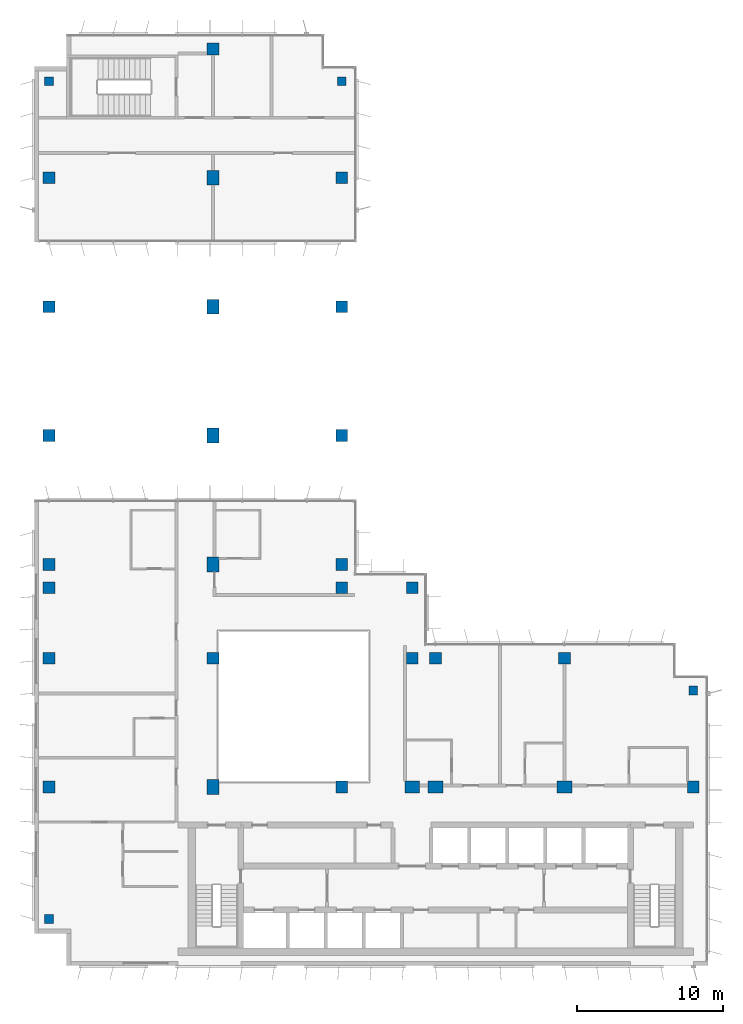
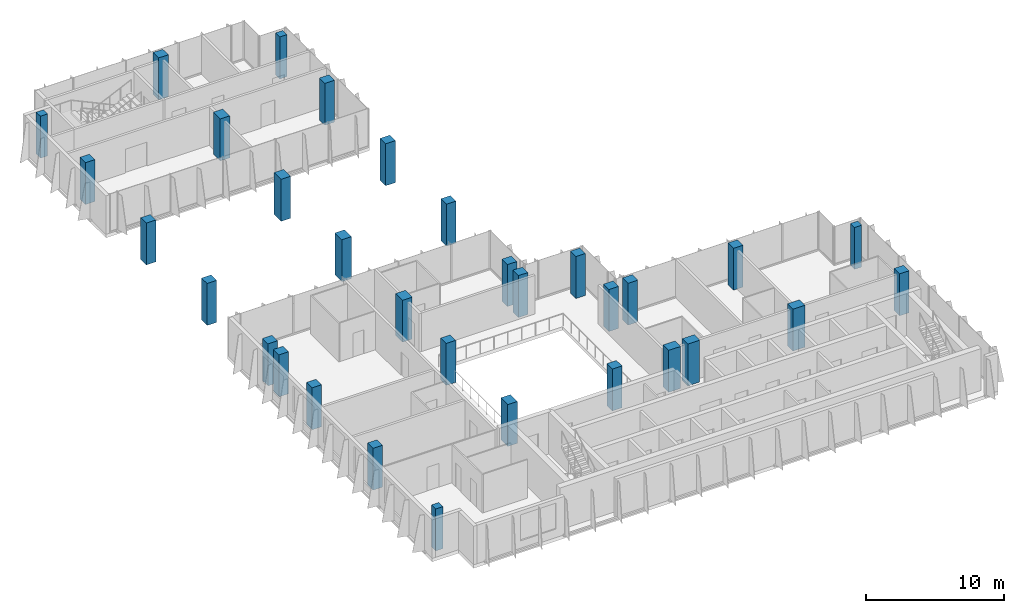
# One storey, part 1 of 14: 32 columns.
"""IFC4 building model written with IfcOpenShell, lengths in metres."""

from ifc_helpers import new_model, si_unit, direction, frame, origin, origin_2d, place, context, subcontext, project, spatial, rectangle, extrude, material, material_profile, profile_set, type_object, element, save


model = new_model("IFC4")

# Units and contexts
model_context = context("Model", 3, precision=1e-05, world=origin(), true_north=direction((0.0, 1.0)))
body_context = subcontext(model_context, "Body", "Model", "MODEL_VIEW")
ifc_project = project(units=[si_unit("LENGTHUNIT", "METRE"), si_unit("AREAUNIT", "SQUARE_METRE"), si_unit("VOLUMEUNIT", "CUBIC_METRE"), si_unit("PLANEANGLEUNIT", "RADIAN"), si_unit("MASSUNIT", "GRAM", prefix="KILO")], contexts=[model_context])

# Site, building, storey
site_placement = place(None, origin())
site = spatial("IfcSite", under=ifc_project, at=site_placement, CompositionType="ELEMENT")
building_placement = place(site_placement, origin())
building = spatial("IfcBuilding", under=site, at=building_placement, Name="Kemantara Hotel Tower", CompositionType="ELEMENT")
storey_placement = place(building_placement, frame((0.0, 0.0, 245.0)))
storey = spatial("IfcBuildingStorey", under=building, at=storey_placement, Name="L61", CompositionType="ELEMENT", Elevation=245.0)

# Columns
ifc_material = material(Name="Concrete fc 60 MPa", Category="concrete")
ifc_material_profile_1 = material_profile(ifc_material, rectangle(XDim=1.0, YDim=0.800048828125, at=origin_2d()), Name="RC 1000X800")
ifc_profile_set_1 = profile_set([ifc_material_profile_1], Name="Concrete fc 60 MPa")
column_type_1 = type_object("IfcColumnType", Name="RC COLUMN 1000X800 FC60", PredefinedType="COLUMN", material=ifc_profile_set_1)
for number, where, z_axis, x_axis, name in (
    (1, (12.199951171875, 12.199951171875, 0.0), (0.0, 0.0, 1.0), (0.0, 1.0, 0.0), "COLUMN 2A/BA L61"),
    (2, (12.199951171875, 27.39990234375, 0.0), (0.0, 0.0, 1.0), (0.0, 1.0, 0.0), "COLUMN 2A/D L61"),
    (3, (12.199951171875, 36.199951171875, 0.0), (0.0, 0.0, 1.0), (0.0, 1.0, 0.0), "COLUMN 2A/E L61"),
    (4, (12.199951171875, 45.0, 0.0), (0.0, 0.0, 1.0), (0.0, 1.0, 0.0), "COLUMN 2A/F L61"),
    (5, (12.199951171875, 53.800048828125, 0.0), (0.0, 0.0, 1.0), (0.0, 1.0, 0.0), "COLUMN 2A/G L61"),
    (6, (25.800048828125, 12.199951171875, 0.0), (0.0, 0.0, 1.0), (1.0, 0.0, 0.0), "COLUMN 3A/BA L61"),
    (7, (27.39990234375, 12.199951171875, 0.0), (0.0, 0.0, 1.0), (1.0, 0.0, 0.0), "COLUMN 4/BA L61"),
    (8, (36.199951171875, 12.199951171875, 0.0), (0.0, 0.0, 1.0), (1.0, 0.0, 0.0), "COLUMN 5/BA L61"),
):
    element("IfcColumn", number, at=place(storey_placement, frame(where, z_axis=z_axis, x_axis=x_axis)), inside=storey, type_object=column_type_1, Name=name, PredefinedType="COLUMN", context=body_context, shape_type="SweptSolid", body=[
        extrude(rectangle(XDim=1.0, YDim=0.800048828125, at=origin_2d()), origin(), (0.0, 0.0, 1.0), 3.699951171875),
    ])
ifc_material_profile_2 = material_profile(ifc_material, rectangle(XDim=0.60009765625, YDim=0.60009765625, at=origin_2d()), Name="RC 600X600")
ifc_profile_set_2 = profile_set([ifc_material_profile_2], Name="Concrete fc 60 MPa")
column_type_2 = type_object("IfcColumnType", Name="RC COLUMN 600X600 FC60", PredefinedType="COLUMN", material=ifc_profile_set_2)
for number, where, z_axis, x_axis, name in (
    (9, (1.0, 3.199951171875, 0.0), (0.0, 0.0, 1.0), (1.0, 0.0, 0.0), "COLUMN notch corner L61"),
    (10, (1.0, 60.39990234375, 0.0), (0.0, 0.0, 1.0), (1.0, 0.0, 0.0), "COLUMN notch corner L61"),
    (11, (21.0, 60.39990234375, 0.0), (0.0, 0.0, 1.0), (1.0, 0.0, 0.0), "COLUMN notch corner L61"),
    (12, (45.0, 18.800048828125, 0.0), (0.0, 0.0, 1.0), (1.0, 0.0, 0.0), "COLUMN notch corner L61"),
):
    element("IfcColumn", number, at=place(storey_placement, frame(where, z_axis=z_axis, x_axis=x_axis)), inside=storey, type_object=column_type_2, Name=name, PredefinedType="COLUMN", context=body_context, shape_type="SweptSolid", body=[
        extrude(rectangle(XDim=0.60009765625, YDim=0.60009765625, at=origin_2d()), origin(), (0.0, 0.0, 1.0), 3.699951171875),
    ])
ifc_material_profile_3 = material_profile(ifc_material, rectangle(XDim=0.800048828125, YDim=0.800048828125, at=origin_2d()), Name="RC 800X800")
ifc_profile_set_3 = profile_set([ifc_material_profile_3], Name="Concrete fc 60 MPa")
column_type_3 = type_object("IfcColumnType", Name="RC COLUMN 800X800 FC60", PredefinedType="COLUMN", material=ifc_profile_set_3)
for number, where, z_axis, x_axis, name in (
    (13, (1.0, 12.199951171875, 0.0), (0.0, 0.0, 1.0), (1.0, 0.0, 0.0), "COLUMN 1/BA L61"),
    (14, (1.0, 21.0, 0.0), (0.0, 0.0, 1.0), (1.0, 0.0, 0.0), "COLUMN 1/C L61"),
    (15, (1.0, 25.800048828125, 0.0), (0.0, 0.0, 1.0), (1.0, 0.0, 0.0), "COLUMN 1/CA L61"),
    (16, (1.0, 27.39990234375, 0.0), (0.0, 0.0, 1.0), (1.0, 0.0, 0.0), "COLUMN 1/D L61"),
    (17, (1.0, 36.199951171875, 0.0), (0.0, 0.0, 1.0), (1.0, 0.0, 0.0), "COLUMN 1/E L61"),
    (18, (1.0, 45.0, 0.0), (0.0, 0.0, 1.0), (1.0, 0.0, 0.0), "COLUMN 1/F L61"),
    (19, (1.0, 53.800048828125, 0.0), (0.0, 0.0, 1.0), (1.0, 0.0, 0.0), "COLUMN 1/G L61"),
    (20, (12.199951171875, 21.0, 0.0), (0.0, 0.0, 1.0), (1.0, 0.0, 0.0), "COLUMN 2A/C L61"),
    (21, (12.199951171875, 62.60009765625, 0.0), (0.0, 0.0, 1.0), (1.0, 0.0, 0.0), "COLUMN 2A/H L61"),
    (22, (21.0, 12.199951171875, 0.0), (0.0, 0.0, 1.0), (1.0, 0.0, 0.0), "COLUMN 3/BA L61"),
    (23, (21.0, 25.800048828125, 0.0), (0.0, 0.0, 1.0), (1.0, 0.0, 0.0), "COLUMN 3/CA L61"),
    (24, (21.0, 27.39990234375, 0.0), (0.0, 0.0, 1.0), (1.0, 0.0, 0.0), "COLUMN 3/D L61"),
    (25, (21.0, 36.199951171875, 0.0), (0.0, 0.0, 1.0), (1.0, 0.0, 0.0), "COLUMN 3/E L61"),
    (26, (21.0, 45.0, 0.0), (0.0, 0.0, 1.0), (1.0, 0.0, 0.0), "COLUMN 3/F L61"),
    (27, (21.0, 53.800048828125, 0.0), (0.0, 0.0, 1.0), (1.0, 0.0, 0.0), "COLUMN 3/G L61"),
    (28, (25.800048828125, 21.0, 0.0), (0.0, 0.0, 1.0), (1.0, 0.0, 0.0), "COLUMN 3A/C L61"),
    (29, (25.800048828125, 25.800048828125, 0.0), (0.0, 0.0, 1.0), (1.0, 0.0, 0.0), "COLUMN 3A/CA L61"),
    (30, (27.39990234375, 21.0, 0.0), (0.0, 0.0, 1.0), (1.0, 0.0, 0.0), "COLUMN 4/C L61"),
    (31, (36.199951171875, 21.0, 0.0), (0.0, 0.0, 1.0), (1.0, 0.0, 0.0), "COLUMN 5/C L61"),
    (32, (45.0, 12.199951171875, 0.0), (0.0, 0.0, 1.0), (1.0, 0.0, 0.0), "COLUMN 6/BA L61"),
):
    element("IfcColumn", number, at=place(storey_placement, frame(where, z_axis=z_axis, x_axis=x_axis)), inside=storey, type_object=column_type_3, Name=name, PredefinedType="COLUMN", context=body_context, shape_type="SweptSolid", body=[
        extrude(rectangle(XDim=0.800048828125, YDim=0.800048828125, at=origin_2d()), origin(), (0.0, 0.0, 1.0), 3.699951171875),
    ])

save(model, "model.ifc")
